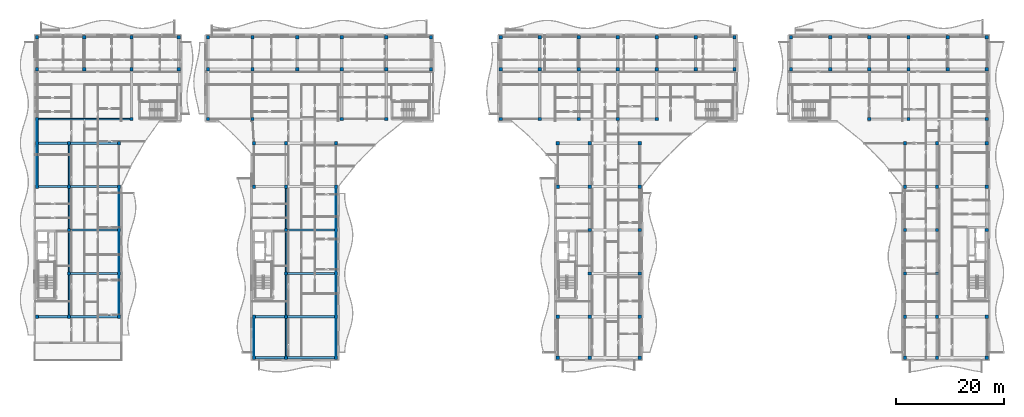
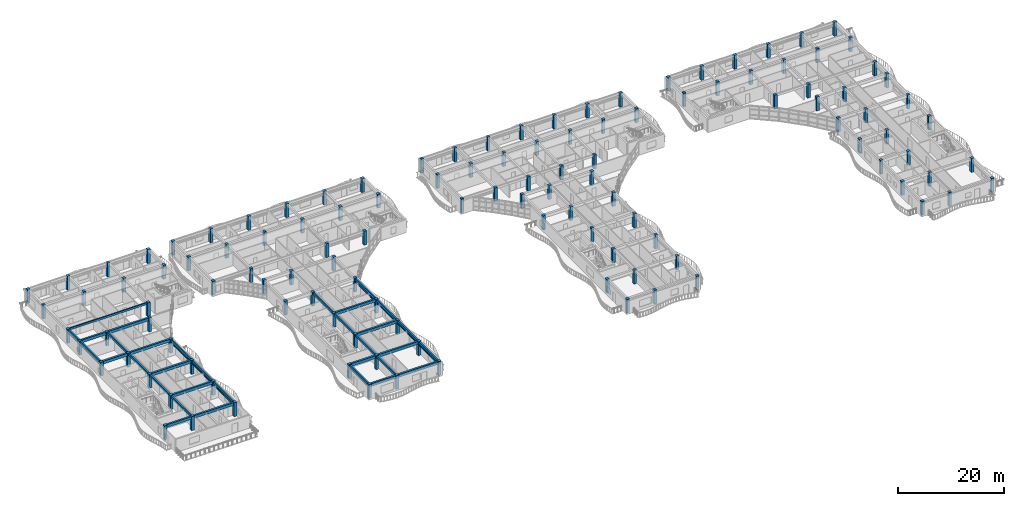
# One storey, part 1 of 72: 122 columns, 33 beams, 20 members.
"""IFC4 building model written with IfcOpenShell, lengths in metres."""

from ifc_helpers import new_model, si_unit, direction, frame, origin, origin_2d, place, context, subcontext, project, spatial, rectangle, hollow_rectangle, extrude, material, material_profile, profile_set, type_object, element, save


model = new_model("IFC4")

# Units and contexts
model_context = context("Model", 3, precision=1e-05, world=origin(), true_north=direction((0.0, 1.0)))
body_context = subcontext(model_context, "Body", "Model", "MODEL_VIEW")
ifc_project = project(units=[si_unit("LENGTHUNIT", "METRE"), si_unit("AREAUNIT", "SQUARE_METRE"), si_unit("VOLUMEUNIT", "CUBIC_METRE"), si_unit("PLANEANGLEUNIT", "RADIAN"), si_unit("MASSUNIT", "GRAM", prefix="KILO")], contexts=[model_context])

# Site, building, storey
site_placement = place(None, origin())
site = spatial("IfcSite", under=ifc_project, at=site_placement, CompositionType="ELEMENT")
building_placement = place(site_placement, origin())
building = spatial("IfcBuilding", under=site, at=building_placement, Name="Keldmere Railside Commons", CompositionType="ELEMENT")
storey_placement = place(building_placement, frame((0.0, 0.0, 16.9599609375)))
storey = spatial("IfcBuildingStorey", under=building, at=storey_placement, Name="L05", CompositionType="ELEMENT", Elevation=16.9599609375)

# Columns
ifc_material_1 = material(Name="Concrete H-35 (C35/45)", Category="concrete")
ifc_material_profile_1 = material_profile(ifc_material_1, rectangle(XDim=0.60009765625, YDim=0.60009765625, at=origin_2d()), Name="RC-600x600")
ifc_profile_set_1 = profile_set([ifc_material_profile_1], Name="Concrete H-35 (C35/45)")
column_type = type_object("IfcColumnType", Name="Mid-Rise RC Column 600x600", PredefinedType="COLUMN", material=ifc_profile_set_1)
for number, where, z_axis, x_axis, name in (
    (1, (8.449951171875, 64.0, 0.0), (0.0, 0.0, 1.0), (1.0, 0.0, 0.0), "C-600 COL-L05-0051"),
    (2, (8.449951171875, 88.0, 0.0), (0.0, 0.0, 1.0), (1.0, 0.0, 0.0), "C-600 COL-L05-0059"),
    (3, (8.449951171875, 96.0, 0.0), (0.0, 0.0, 1.0), (1.0, 0.0, 0.0), "C-600 COL-L05-0068"),
    (4, (8.449951171875, 100.449951171875, 0.0), (0.0, 0.0, 1.0), (1.0, 0.0, 0.0), "C-600 COL-L05-0077"),
    (5, (8.449951171875, 109.64990234375, 0.0), (0.0, 0.0, 1.0), (1.0, 0.0, 0.0), "C-600 COL-L05-0087"),
    (6, (8.449951171875, 115.550048828125, 0.0), (0.0, 0.0, 1.0), (1.0, 0.0, 0.0), "C-600 COL-L05-0096"),
    (7, (14.35009765625, 64.0, 0.0), (0.0, 0.0, 1.0), (1.0, 0.0, 0.0), "C-600 COL-L05-0109"),
    (8, (14.35009765625, 72.0, 0.0), (0.0, 0.0, 1.0), (1.0, 0.0, 0.0), "C-600 COL-L05-0117"),
    (9, (14.35009765625, 80.0, 0.0), (0.0, 0.0, 1.0), (1.0, 0.0, 0.0), "C-600 COL-L05-0126"),
    (10, (14.35009765625, 88.0, 0.0), (0.0, 0.0, 1.0), (1.0, 0.0, 0.0), "C-600 COL-L05-0135"),
    (11, (14.35009765625, 96.0, 0.0), (0.0, 0.0, 1.0), (1.0, 0.0, 0.0), "C-600 COL-L05-0144"),
    (12, (17.14990234375, 109.64990234375, 0.0), (0.0, 0.0, 1.0), (1.0, 0.0, 0.0), "C-600 COL-L05-0171"),
    (13, (17.14990234375, 115.550048828125, 0.0), (0.0, 0.0, 1.0), (1.0, 0.0, 0.0), "C-600 COL-L05-0180"),
    (14, (23.550048828125, 64.0, 0.0), (0.0, 0.0, 1.0), (1.0, 0.0, 0.0), "C-600 COL-L05-0196"),
    (15, (23.550048828125, 72.0, 0.0), (0.0, 0.0, 1.0), (1.0, 0.0, 0.0), "C-600 COL-L05-0204"),
    (16, (23.550048828125, 80.0, 0.0), (0.0, 0.0, 1.0), (1.0, 0.0, 0.0), "C-600 COL-L05-0213"),
    (17, (23.550048828125, 88.0, 0.0), (0.0, 0.0, 1.0), (1.0, 0.0, 0.0), "C-600 COL-L05-0222"),
    (18, (23.550048828125, 96.0, 0.0), (0.0, 0.0, 1.0), (1.0, 0.0, 0.0), "C-600 COL-L05-0231"),
    (19, (25.85009765625, 100.449951171875, 0.0), (0.0, 0.0, 1.0), (1.0, 0.0, 0.0), "C-600 COL-L05-0252"),
    (20, (25.85009765625, 109.64990234375, 0.0), (0.0, 0.0, 1.0), (1.0, 0.0, 0.0), "C-600 COL-L05-0262"),
    (21, (25.85009765625, 115.550048828125, 0.0), (0.0, 0.0, 1.0), (1.0, 0.0, 0.0), "C-600 COL-L05-0271"),
    (22, (34.550048828125, 109.64990234375, 0.0), (0.0, 0.0, 1.0), (1.0, 0.0, 0.0), "C-600 COL-L05-0306"),
    (23, (34.550048828125, 115.550048828125, 0.0), (0.0, 0.0, 1.0), (1.0, 0.0, 0.0), "C-600 COL-L05-0315"),
    (24, (39.949951171875, 100.449951171875, 0.0), (0.0, 0.0, 1.0), (1.0, 0.0, 0.0), "C-600 COL-L05-0341"),
    (25, (39.949951171875, 109.64990234375, 0.0), (0.0, 0.0, 1.0), (1.0, 0.0, 0.0), "C-600 COL-L05-0353"),
    (26, (39.949951171875, 115.550048828125, 0.0), (0.0, 0.0, 1.0), (1.0, 0.0, 0.0), "C-600 COL-L05-0364"),
    (27, (48.169921875, 100.449951171875, 0.0), (0.0, 0.0, 1.0), (1.0, 0.0, 0.0), "C-600 COL-L05-0391"),
    (28, (48.169921875, 109.64990234375, 0.0), (0.0, 0.0, 1.0), (1.0, 0.0, 0.0), "C-600 COL-L05-0403"),
    (29, (48.169921875, 115.550048828125, 0.0), (0.0, 0.0, 1.0), (1.0, 0.0, 0.0), "C-600 COL-L05-0414"),
    (30, (48.449951171875, 56.449951171875, 0.0), (0.0, 0.0, 1.0), (1.0, 0.0, 0.0), "C-600 COL-L05-0437"),
    (31, (48.449951171875, 64.0, 0.0), (0.0, 0.0, 1.0), (1.0, 0.0, 0.0), "C-600 COL-L05-0444"),
    (32, (48.449951171875, 88.0, 0.0), (0.0, 0.0, 1.0), (1.0, 0.0, 0.0), "C-600 COL-L05-0454"),
    (33, (48.449951171875, 96.0, 0.0), (0.0, 0.0, 1.0), (1.0, 0.0, 0.0), "C-600 COL-L05-0465"),
    (34, (54.35009765625, 56.449951171875, 0.0), (0.0, 0.0, 1.0), (1.0, 0.0, 0.0), "C-600 COL-L05-0483"),
    (35, (54.35009765625, 64.0, 0.0), (0.0, 0.0, 1.0), (1.0, 0.0, 0.0), "C-600 COL-L05-0490"),
    (36, (54.35009765625, 72.0, 0.0), (0.0, 0.0, 1.0), (1.0, 0.0, 0.0), "C-600 COL-L05-0500"),
    (37, (54.35009765625, 80.0, 0.0), (0.0, 0.0, 1.0), (1.0, 0.0, 0.0), "C-600 COL-L05-0511"),
    (38, (54.35009765625, 88.0, 0.0), (0.0, 0.0, 1.0), (1.0, 0.0, 0.0), "C-600 COL-L05-0522"),
    (39, (54.35009765625, 96.0, 0.0), (0.0, 0.0, 1.0), (1.0, 0.0, 0.0), "C-600 COL-L05-0533"),
    (40, (56.389892578125, 109.64990234375, 0.0), (0.0, 0.0, 1.0), (1.0, 0.0, 0.0), "C-600 COL-L05-0545"),
    (41, (56.389892578125, 115.550048828125, 0.0), (0.0, 0.0, 1.0), (1.0, 0.0, 0.0), "C-600 COL-L05-0556"),
    (42, (63.550048828125, 56.449951171875, 0.0), (0.0, 0.0, 1.0), (1.0, 0.0, 0.0), "C-600 COL-L05-0569"),
    (43, (63.550048828125, 64.0, 0.0), (0.0, 0.0, 1.0), (1.0, 0.0, 0.0), "C-600 COL-L05-0576"),
    (44, (63.550048828125, 72.0, 0.0), (0.0, 0.0, 1.0), (1.0, 0.0, 0.0), "C-600 COL-L05-0586"),
    (45, (63.550048828125, 80.0, 0.0), (0.0, 0.0, 1.0), (1.0, 0.0, 0.0), "C-600 COL-L05-0597"),
    (46, (63.550048828125, 88.0, 0.0), (0.0, 0.0, 1.0), (1.0, 0.0, 0.0), "C-600 COL-L05-0608"),
    (47, (63.550048828125, 96.0, 0.0), (0.0, 0.0, 1.0), (1.0, 0.0, 0.0), "C-600 COL-L05-0619"),
    (48, (64.610107421875, 100.449951171875, 0.0), (0.0, 0.0, 1.0), (1.0, 0.0, 0.0), "C-600 COL-L05-0645"),
    (49, (64.610107421875, 109.64990234375, 0.0), (0.0, 0.0, 1.0), (1.0, 0.0, 0.0), "C-600 COL-L05-0657"),
    (50, (64.610107421875, 115.550048828125, 0.0), (0.0, 0.0, 1.0), (1.0, 0.0, 0.0), "C-600 COL-L05-0668"),
    (51, (72.830078125, 100.449951171875, 0.0), (0.0, 0.0, 1.0), (1.0, 0.0, 0.0), "C-600 COL-L05-0690"),
    (52, (72.830078125, 109.64990234375, 0.0), (0.0, 0.0, 1.0), (1.0, 0.0, 0.0), "C-600 COL-L05-0702"),
    (53, (72.830078125, 115.550048828125, 0.0), (0.0, 0.0, 1.0), (1.0, 0.0, 0.0), "C-600 COL-L05-0713"),
    (54, (81.050048828125, 109.64990234375, 0.0), (0.0, 0.0, 1.0), (1.0, 0.0, 0.0), "C-600 COL-L05-0755"),
    (55, (81.050048828125, 115.550048828125, 0.0), (0.0, 0.0, 1.0), (1.0, 0.0, 0.0), "C-600 COL-L05-0766"),
    (56, (93.949951171875, 100.449951171875, 0.0), (0.0, 0.0, 1.0), (1.0, 0.0, 0.0), "C-600 COL-L05-0815"),
    (57, (93.949951171875, 109.64990234375, 0.0), (0.0, 0.0, 1.0), (1.0, 0.0, 0.0), "C-600 COL-L05-0829"),
    (58, (93.949951171875, 115.550048828125, 0.0), (0.0, 0.0, 1.0), (1.0, 0.0, 0.0), "C-600 COL-L05-0842"),
    (59, (101.133056640625, 100.449951171875, 0.0), (0.0, 0.0, 1.0), (1.0, 0.0, 0.0), "C-600 COL-L05-0884"),
    (60, (101.133056640625, 109.64990234375, 0.0), (0.0, 0.0, 1.0), (1.0, 0.0, 0.0), "C-600 COL-L05-0898"),
    (61, (101.133056640625, 115.550048828125, 0.0), (0.0, 0.0, 1.0), (1.0, 0.0, 0.0), "C-600 COL-L05-0911"),
    (62, (104.449951171875, 56.449951171875, 0.0), (0.0, 0.0, 1.0), (1.0, 0.0, 0.0), "C-600 COL-L05-0926"),
    (63, (104.449951171875, 64.0, 0.0), (0.0, 0.0, 1.0), (1.0, 0.0, 0.0), "C-600 COL-L05-0935"),
    (64, (104.449951171875, 88.0, 0.0), (0.0, 0.0, 1.0), (1.0, 0.0, 0.0), "C-600 COL-L05-0947"),
    (65, (104.449951171875, 96.0, 0.0), (0.0, 0.0, 1.0), (1.0, 0.0, 0.0), "C-600 COL-L05-0960"),
    (66, (108.31689453125, 100.449951171875, 0.0), (0.0, 0.0, 1.0), (1.0, 0.0, 0.0), "C-600 COL-L05-0984"),
    (67, (108.31689453125, 109.64990234375, 0.0), (0.0, 0.0, 1.0), (1.0, 0.0, 0.0), "C-600 COL-L05-0998"),
    (68, (108.31689453125, 115.550048828125, 0.0), (0.0, 0.0, 1.0), (1.0, 0.0, 0.0), "C-600 COL-L05-1011"),
    (69, (110.35009765625, 56.449951171875, 0.0), (0.0, 0.0, 1.0), (1.0, 0.0, 0.0), "C-600 COL-L05-1020"),
    (70, (110.35009765625, 64.0, 0.0), (0.0, 0.0, 1.0), (1.0, 0.0, 0.0), "C-600 COL-L05-1029"),
    (71, (110.35009765625, 72.0, 0.0), (0.0, 0.0, 1.0), (1.0, 0.0, 0.0), "C-600 COL-L05-1041"),
    (72, (110.35009765625, 80.0, 0.0), (0.0, 0.0, 1.0), (1.0, 0.0, 0.0), "C-600 COL-L05-1054"),
    (73, (110.35009765625, 88.0, 0.0), (0.0, 0.0, 1.0), (1.0, 0.0, 0.0), "C-600 COL-L05-1067"),
    (74, (110.35009765625, 96.0, 0.0), (0.0, 0.0, 1.0), (1.0, 0.0, 0.0), "C-600 COL-L05-1080"),
    (75, (115.5, 100.449951171875, 0.0), (0.0, 0.0, 1.0), (1.0, 0.0, 0.0), "C-600 COL-L05-1101"),
    (76, (115.5, 109.64990234375, 0.0), (0.0, 0.0, 1.0), (1.0, 0.0, 0.0), "C-600 COL-L05-1115"),
    (77, (115.5, 115.550048828125, 0.0), (0.0, 0.0, 1.0), (1.0, 0.0, 0.0), "C-600 COL-L05-1128"),
    (78, (119.550048828125, 56.449951171875, 0.0), (0.0, 0.0, 1.0), (1.0, 0.0, 0.0), "C-600 COL-L05-1137"),
    (79, (119.550048828125, 64.0, 0.0), (0.0, 0.0, 1.0), (1.0, 0.0, 0.0), "C-600 COL-L05-1146"),
    (80, (119.550048828125, 72.0, 0.0), (0.0, 0.0, 1.0), (1.0, 0.0, 0.0), "C-600 COL-L05-1158"),
    (81, (119.550048828125, 80.0, 0.0), (0.0, 0.0, 1.0), (1.0, 0.0, 0.0), "C-600 COL-L05-1171"),
    (82, (119.550048828125, 88.0, 0.0), (0.0, 0.0, 1.0), (1.0, 0.0, 0.0), "C-600 COL-L05-1184"),
    (83, (119.550048828125, 96.0, 0.0), (0.0, 0.0, 1.0), (1.0, 0.0, 0.0), "C-600 COL-L05-1197"),
    (84, (122.68310546875, 100.449951171875, 0.0), (0.0, 0.0, 1.0), (1.0, 0.0, 0.0), "C-600 COL-L05-1239"),
    (85, (122.68310546875, 109.64990234375, 0.0), (0.0, 0.0, 1.0), (1.0, 0.0, 0.0), "C-600 COL-L05-1253"),
    (86, (122.68310546875, 115.550048828125, 0.0), (0.0, 0.0, 1.0), (1.0, 0.0, 0.0), "C-600 COL-L05-1266"),
    (87, (129.866943359375, 109.64990234375, 0.0), (0.0, 0.0, 1.0), (1.0, 0.0, 0.0), "C-600 COL-L05-1298"),
    (88, (129.866943359375, 115.550048828125, 0.0), (0.0, 0.0, 1.0), (1.0, 0.0, 0.0), "C-600 COL-L05-1311"),
    (89, (137.050048828125, 109.64990234375, 0.0), (0.0, 0.0, 1.0), (1.0, 0.0, 0.0), "C-600 COL-L05-1348"),
    (90, (137.050048828125, 115.550048828125, 0.0), (0.0, 0.0, 1.0), (1.0, 0.0, 0.0), "C-600 COL-L05-1361"),
    (91, (147.449951171875, 109.64990234375, 0.0), (0.0, 0.0, 1.0), (1.0, 0.0, 0.0), "C-600 COL-L05-1378"),
    (92, (147.449951171875, 115.550048828125, 0.0), (0.0, 0.0, 1.0), (1.0, 0.0, 0.0), "C-600 COL-L05-1393"),
    (93, (154.669921875, 109.64990234375, 0.0), (0.0, 0.0, 1.0), (1.0, 0.0, 0.0), "C-600 COL-L05-1430"),
    (94, (154.669921875, 115.550048828125, 0.0), (0.0, 0.0, 1.0), (1.0, 0.0, 0.0), "C-600 COL-L05-1445"),
    (95, (161.889892578125, 100.449951171875, 0.0), (0.0, 0.0, 1.0), (1.0, 0.0, 0.0), "C-600 COL-L05-1483"),
    (96, (161.889892578125, 109.64990234375, 0.0), (0.0, 0.0, 1.0), (1.0, 0.0, 0.0), "C-600 COL-L05-1499"),
    (97, (161.889892578125, 115.550048828125, 0.0), (0.0, 0.0, 1.0), (1.0, 0.0, 0.0), "C-600 COL-L05-1514"),
    (98, (168.449951171875, 56.449951171875, 0.0), (0.0, 0.0, 1.0), (1.0, 0.0, 0.0), "C-600 COL-L05-1549"),
    (99, (168.449951171875, 64.0, 0.0), (0.0, 0.0, 1.0), (1.0, 0.0, 0.0), "C-600 COL-L05-1559"),
    (100, (168.449951171875, 72.0, 0.0), (0.0, 0.0, 1.0), (1.0, 0.0, 0.0), "C-600 COL-L05-1573"),
    (101, (168.449951171875, 80.0, 0.0), (0.0, 0.0, 1.0), (1.0, 0.0, 0.0), "C-600 COL-L05-1588"),
    (102, (168.449951171875, 88.0, 0.0), (0.0, 0.0, 1.0), (1.0, 0.0, 0.0), "C-600 COL-L05-1603"),
    (103, (168.449951171875, 96.0, 0.0), (0.0, 0.0, 1.0), (1.0, 0.0, 0.0), "C-600 COL-L05-1618"),
    (104, (169.110107421875, 100.449951171875, 0.0), (0.0, 0.0, 1.0), (1.0, 0.0, 0.0), "C-600 COL-L05-1633"),
    (105, (169.110107421875, 109.64990234375, 0.0), (0.0, 0.0, 1.0), (1.0, 0.0, 0.0), "C-600 COL-L05-1649"),
    (106, (169.110107421875, 115.550048828125, 0.0), (0.0, 0.0, 1.0), (1.0, 0.0, 0.0), "C-600 COL-L05-1664"),
    (107, (174.35009765625, 56.449951171875, 0.0), (0.0, 0.0, 1.0), (1.0, 0.0, 0.0), "C-600 COL-L05-1675"),
    (108, (174.35009765625, 64.0, 0.0), (0.0, 0.0, 1.0), (1.0, 0.0, 0.0), "C-600 COL-L05-1685"),
    (109, (174.35009765625, 72.0, 0.0), (0.0, 0.0, 1.0), (1.0, 0.0, 0.0), "C-600 COL-L05-1699"),
    (110, (174.35009765625, 80.0, 0.0), (0.0, 0.0, 1.0), (1.0, 0.0, 0.0), "C-600 COL-L05-1714"),
    (111, (174.35009765625, 88.0, 0.0), (0.0, 0.0, 1.0), (1.0, 0.0, 0.0), "C-600 COL-L05-1729"),
    (112, (174.35009765625, 96.0, 0.0), (0.0, 0.0, 1.0), (1.0, 0.0, 0.0), "C-600 COL-L05-1744"),
    (113, (176.330078125, 109.64990234375, 0.0), (0.0, 0.0, 1.0), (1.0, 0.0, 0.0), "C-600 COL-L05-1777"),
    (114, (176.330078125, 115.550048828125, 0.0), (0.0, 0.0, 1.0), (1.0, 0.0, 0.0), "C-600 COL-L05-1792"),
    (115, (183.550048828125, 56.449951171875, 0.0), (0.0, 0.0, 1.0), (1.0, 0.0, 0.0), "C-600 COL-L05-1807"),
    (116, (183.550048828125, 64.0, 0.0), (0.0, 0.0, 1.0), (1.0, 0.0, 0.0), "C-600 COL-L05-1817"),
    (117, (183.550048828125, 80.0, 0.0), (0.0, 0.0, 1.0), (1.0, 0.0, 0.0), "C-600 COL-L05-1831"),
    (118, (183.550048828125, 88.0, 0.0), (0.0, 0.0, 1.0), (1.0, 0.0, 0.0), "C-600 COL-L05-1846"),
    (119, (183.550048828125, 96.0, 0.0), (0.0, 0.0, 1.0), (1.0, 0.0, 0.0), "C-600 COL-L05-1861"),
    (120, (183.550048828125, 100.449951171875, 0.0), (0.0, 0.0, 1.0), (1.0, 0.0, 0.0), "C-600 COL-L05-1876"),
    (121, (183.550048828125, 109.64990234375, 0.0), (0.0, 0.0, 1.0), (1.0, 0.0, 0.0), "C-600 COL-L05-1892"),
    (122, (183.550048828125, 115.550048828125, 0.0), (0.0, 0.0, 1.0), (1.0, 0.0, 0.0), "C-600 COL-L05-1907"),
):
    element("IfcColumn", number, at=place(storey_placement, frame(where, z_axis=z_axis, x_axis=x_axis)), inside=storey, type_object=column_type, Name=name, PredefinedType="COLUMN", context=body_context, shape_type="SweptSolid", body=[
        extrude(rectangle(XDim=0.60009765625, YDim=0.60009765625, at=origin_2d()), origin(), (0.0, 0.0, 1.0), 3.199951171875),
    ])

# Members
ifc_material_2 = material(Name="Steel F-36 (S355)", Category="steel")
ifc_material_profile_2 = material_profile(ifc_material_2, hollow_rectangle(XDim=0.14990234375, YDim=0.25, WallThickness=0.010009765625, at=origin_2d()), Name="RHS-250x150x10")
ifc_profile_set_2 = profile_set([ifc_material_profile_2], Name="Steel F-36 (S355)")
member_type_1 = type_object("IfcMemberType", Name="Balcony Continuous Planted Trough RHS250x150", PredefinedType="CHORD", material=ifc_profile_set_2)
member_1_placement = place(storey_placement, frame((8.449951171875, 88.300048828125, 2.4150390625), z_axis=(0.0, 1.0, 0.0), x_axis=(-1.0, 0.0, 0.0)))
element("IfcMember", 123, at=member_1_placement, inside=storey, type_object=member_type_1, Name="PLT-1 MEM-BPLT-0571", PredefinedType="CHORD", context=body_context, shape_type="SweptSolid", body=[
    extrude(hollow_rectangle(XDim=0.14990234375, YDim=0.25, WallThickness=0.010009765625, at=origin_2d()), origin(), (0.0, 0.0, 1.0), 7.39990234375),
])
member_2_placement = place(storey_placement, frame((8.449951171875, 96.300048828125, 2.4150390625), z_axis=(0.0, 1.0, 0.0), x_axis=(-1.0, 0.0, 0.0)))
element("IfcMember", 124, at=member_2_placement, inside=storey, type_object=member_type_1, Name="PLT-1 MEM-BPLT-0573", PredefinedType="CHORD", context=body_context, shape_type="SweptSolid", body=[
    extrude(hollow_rectangle(XDim=0.14990234375, YDim=0.25, WallThickness=0.010009765625, at=origin_2d()), origin(), (0.0, 0.0, 1.0), 3.849853515625),
])
for number, where, z_axis, x_axis, name in (
    (125, (23.550048828125, 64.300048828125, 2.4150390625), (0.0, 1.0, 0.0), (-1.0, 0.0, 0.0), "PLT-1 MEM-BPLT-0579"),
    (126, (23.550048828125, 72.300048828125, 2.4150390625), (0.0, 1.0, 0.0), (-1.0, 0.0, 0.0), "PLT-1 MEM-BPLT-0581"),
    (127, (23.550048828125, 80.300048828125, 2.4150390625), (0.0, 1.0, 0.0), (-1.0, 0.0, 0.0), "PLT-1 MEM-BPLT-0583"),
):
    element("IfcMember", number, at=place(storey_placement, frame(where, z_axis=z_axis, x_axis=x_axis)), inside=storey, type_object=member_type_1, Name=name, PredefinedType="CHORD", context=body_context, shape_type="SweptSolid", body=[
        extrude(hollow_rectangle(XDim=0.14990234375, YDim=0.25, WallThickness=0.010009765625, at=origin_2d()), origin(), (0.0, 0.0, 1.0), 7.39990234375),
    ])
for number, where, z_axis, x_axis, name in (
    (128, (48.449951171875, 56.75, 2.4150390625), (0.0, 1.0, 0.0), (-1.0, 0.0, 0.0), "PLT-1 MEM-BPLT-0601"),
    (129, (63.550048828125, 56.75, 2.4150390625), (0.0, 1.0, 0.0), (-1.0, 0.0, 0.0), "PLT-1 MEM-BPLT-0611"),
):
    element("IfcMember", number, at=place(storey_placement, frame(where, z_axis=z_axis, x_axis=x_axis)), inside=storey, type_object=member_type_1, Name=name, PredefinedType="CHORD", context=body_context, shape_type="SweptSolid", body=[
        extrude(hollow_rectangle(XDim=0.14990234375, YDim=0.25, WallThickness=0.010009765625, at=origin_2d()), origin(), (0.0, 0.0, 1.0), 6.949951171875),
    ])
for number, where, z_axis, x_axis, name in (
    (130, (63.550048828125, 64.300048828125, 2.4150390625), (0.0, 1.0, 0.0), (-1.0, 0.0, 0.0), "PLT-1 MEM-BPLT-0613"),
    (131, (63.550048828125, 72.300048828125, 2.4150390625), (0.0, 1.0, 0.0), (-1.0, 0.0, 0.0), "PLT-1 MEM-BPLT-0615"),
    (132, (63.550048828125, 80.300048828125, 2.4150390625), (0.0, 1.0, 0.0), (-1.0, 0.0, 0.0), "PLT-1 MEM-BPLT-0617"),
):
    element("IfcMember", number, at=place(storey_placement, frame(where, z_axis=z_axis, x_axis=x_axis)), inside=storey, type_object=member_type_1, Name=name, PredefinedType="CHORD", context=body_context, shape_type="SweptSolid", body=[
        extrude(hollow_rectangle(XDim=0.14990234375, YDim=0.25, WallThickness=0.010009765625, at=origin_2d()), origin(), (0.0, 0.0, 1.0), 7.39990234375),
    ])

# Beams
ifc_material_3 = material(Name="Architectural Precast Concrete H-35 (C35/45)", Category="concrete")
ifc_material_profile_3 = material_profile(ifc_material_3, rectangle(XDim=0.25, YDim=0.449951171875, at=origin_2d()), Name="RC-250x450")
ifc_profile_set_3 = profile_set([ifc_material_profile_3], Name="Architectural Precast Concrete H-35 (C35/45)")
beam_type_1 = type_object("IfcBeamType", Name="Perimeter Precast Spandrel Beam 250x450", PredefinedType="SPANDREL", material=ifc_profile_set_3)
beam_1_placement = place(storey_placement, frame((8.75, 100.449951171875, 2.97509765625), z_axis=(1.0, 0.0, 0.0), x_axis=(0.0, 1.0, 0.0)))
element("IfcBeam", 133, at=beam_1_placement, inside=storey, type_object=beam_type_1, Name="SPB-1 BM-L05-1728", PredefinedType="SPANDREL", context=body_context, shape_type="SweptSolid", body=[
    extrude(rectangle(XDim=0.25, YDim=0.449951171875, at=origin_2d()), origin(), (0.0, 0.0, 1.0), 16.800048828125),
])
ifc_material_4 = material(Name="Concrete H-30 (C30/37)", Category="concrete")
ifc_material_profile_4 = material_profile(ifc_material_4, rectangle(XDim=0.35009765625, YDim=0.60009765625, at=origin_2d()), Name="RC-350x600")
ifc_profile_set_4 = profile_set([ifc_material_profile_4], Name="Concrete H-30 (C30/37)")
beam_type_2 = type_object("IfcBeamType", Name="Residential Chord RC Beam 350x600", PredefinedType="BEAM", material=ifc_profile_set_4)
beam_2_placement = place(storey_placement, frame((8.449951171875, 88.300048828125, 2.900146484375), z_axis=(0.0, 1.0, 0.0), x_axis=(-1.0, 0.0, 0.0)))
element("IfcBeam", 134, at=beam_2_placement, inside=storey, type_object=beam_type_2, Name="BG-4 BM-L05-1776", PredefinedType="BEAM", context=body_context, shape_type="SweptSolid", body=[
    extrude(rectangle(XDim=0.35009765625, YDim=0.60009765625, at=origin_2d()), origin(), (0.0, 0.0, 1.0), 7.39990234375),
])
beam_3_placement = place(storey_placement, frame((8.449951171875, 96.300048828125, 2.900146484375), z_axis=(0.0, 1.0, 0.0), x_axis=(-1.0, 0.0, 0.0)))
element("IfcBeam", 135, at=beam_3_placement, inside=storey, type_object=beam_type_2, Name="BG-4 BM-L05-1777", PredefinedType="BEAM", context=body_context, shape_type="SweptSolid", body=[
    extrude(rectangle(XDim=0.35009765625, YDim=0.60009765625, at=origin_2d()), origin(), (0.0, 0.0, 1.0), 3.849853515625),
])
ifc_material_profile_5 = material_profile(ifc_material_4, rectangle(XDim=0.39990234375, YDim=0.64990234375, at=origin_2d()), Name="RC-400x650")
ifc_profile_set_5 = profile_set([ifc_material_profile_5], Name="Concrete H-30 (C30/37)")
beam_type_3 = type_object("IfcBeamType", Name="Residential Spine RC Girder 400x650", PredefinedType="BEAM", material=ifc_profile_set_5)
beam_4_placement = place(storey_placement, frame((48.75, 56.449951171875, 2.875), z_axis=(1.0, 0.0, 0.0), x_axis=(0.0, 1.0, 0.0)))
element("IfcBeam", 136, at=beam_4_placement, inside=storey, type_object=beam_type_3, Name="BG-3 BM-L05-1690", PredefinedType="BEAM", context=body_context, shape_type="SweptSolid", body=[
    extrude(rectangle(XDim=0.39990234375, YDim=0.64990234375, at=origin_2d()), origin(), (0.0, 0.0, 1.0), 5.300048828125),
])
beam_5_placement = place(storey_placement, frame((54.64990234375, 56.449951171875, 2.875), z_axis=(1.0, 0.0, 0.0), x_axis=(0.0, 1.0, 0.0)))
element("IfcBeam", 137, at=beam_5_placement, inside=storey, type_object=beam_type_3, Name="BG-3 BM-L05-1691", PredefinedType="BEAM", context=body_context, shape_type="SweptSolid", body=[
    extrude(rectangle(XDim=0.39990234375, YDim=0.64990234375, at=origin_2d()), origin(), (0.0, 0.0, 1.0), 8.60009765625),
])
beam_6_placement = place(storey_placement, frame((8.75, 64.0, 2.875), z_axis=(1.0, 0.0, 0.0), x_axis=(0.0, 1.0, 0.0)))
element("IfcBeam", 138, at=beam_6_placement, inside=storey, type_object=beam_type_3, Name="BG-3 BM-L05-1696", PredefinedType="BEAM", context=body_context, shape_type="SweptSolid", body=[
    extrude(rectangle(XDim=0.39990234375, YDim=0.64990234375, at=origin_2d()), origin(), (0.0, 0.0, 1.0), 5.300048828125),
])
beam_7_placement = place(storey_placement, frame((14.64990234375, 64.0, 2.875), z_axis=(1.0, 0.0, 0.0), x_axis=(0.0, 1.0, 0.0)))
element("IfcBeam", 139, at=beam_7_placement, inside=storey, type_object=beam_type_3, Name="BG-3 BM-L05-1697", PredefinedType="BEAM", context=body_context, shape_type="SweptSolid", body=[
    extrude(rectangle(XDim=0.39990234375, YDim=0.64990234375, at=origin_2d()), origin(), (0.0, 0.0, 1.0), 8.60009765625),
])
beam_8_placement = place(storey_placement, frame((48.75, 64.0, 2.875), z_axis=(1.0, 0.0, 0.0), x_axis=(0.0, 1.0, 0.0)))
element("IfcBeam", 140, at=beam_8_placement, inside=storey, type_object=beam_type_3, Name="BG-3 BM-L05-1698", PredefinedType="BEAM", context=body_context, shape_type="SweptSolid", body=[
    extrude(rectangle(XDim=0.39990234375, YDim=0.64990234375, at=origin_2d()), origin(), (0.0, 0.0, 1.0), 5.300048828125),
])
for number, where, z_axis, x_axis, name in (
    (141, (54.64990234375, 64.0, 2.875), (1.0, 0.0, 0.0), (0.0, 1.0, 0.0), "BG-3 BM-L05-1699"),
    (142, (14.64990234375, 72.0, 2.875), (1.0, 0.0, 0.0), (0.0, 1.0, 0.0), "BG-3 BM-L05-1704"),
    (143, (54.64990234375, 72.0, 2.875), (1.0, 0.0, 0.0), (0.0, 1.0, 0.0), "BG-3 BM-L05-1705"),
    (144, (14.64990234375, 80.0, 2.875), (1.0, 0.0, 0.0), (0.0, 1.0, 0.0), "BG-3 BM-L05-1708"),
    (145, (54.64990234375, 80.0, 2.875), (1.0, 0.0, 0.0), (0.0, 1.0, 0.0), "BG-3 BM-L05-1709"),
):
    element("IfcBeam", number, at=place(storey_placement, frame(where, z_axis=z_axis, x_axis=x_axis)), inside=storey, type_object=beam_type_3, Name=name, PredefinedType="BEAM", context=body_context, shape_type="SweptSolid", body=[
        extrude(rectangle(XDim=0.39990234375, YDim=0.64990234375, at=origin_2d()), origin(), (0.0, 0.0, 1.0), 8.60009765625),
    ])
beam_9_placement = place(storey_placement, frame((8.75, 88.0, 2.875), z_axis=(1.0, 0.0, 0.0), x_axis=(0.0, 1.0, 0.0)))
element("IfcBeam", 146, at=beam_9_placement, inside=storey, type_object=beam_type_3, Name="BG-3 BM-L05-1712", PredefinedType="BEAM", context=body_context, shape_type="SweptSolid", body=[
    extrude(rectangle(XDim=0.39990234375, YDim=0.64990234375, at=origin_2d()), origin(), (0.0, 0.0, 1.0), 5.300048828125),
])
beam_10_placement = place(storey_placement, frame((14.64990234375, 88.0, 2.875), z_axis=(1.0, 0.0, 0.0), x_axis=(0.0, 1.0, 0.0)))
element("IfcBeam", 147, at=beam_10_placement, inside=storey, type_object=beam_type_3, Name="BG-3 BM-L05-1713", PredefinedType="BEAM", context=body_context, shape_type="SweptSolid", body=[
    extrude(rectangle(XDim=0.39990234375, YDim=0.64990234375, at=origin_2d()), origin(), (0.0, 0.0, 1.0), 8.60009765625),
])
beam_11_placement = place(storey_placement, frame((8.75, 96.0, 2.875), z_axis=(1.0, 0.0, 0.0), x_axis=(0.0, 1.0, 0.0)))
element("IfcBeam", 148, at=beam_11_placement, inside=storey, type_object=beam_type_3, Name="BG-3 BM-L05-1720", PredefinedType="BEAM", context=body_context, shape_type="SweptSolid", body=[
    extrude(rectangle(XDim=0.39990234375, YDim=0.64990234375, at=origin_2d()), origin(), (0.0, 0.0, 1.0), 5.300048828125),
])
beam_12_placement = place(storey_placement, frame((14.64990234375, 96.0, 2.875), z_axis=(1.0, 0.0, 0.0), x_axis=(0.0, 1.0, 0.0)))
element("IfcBeam", 149, at=beam_12_placement, inside=storey, type_object=beam_type_3, Name="BG-3 BM-L05-1721", PredefinedType="BEAM", context=body_context, shape_type="SweptSolid", body=[
    extrude(rectangle(XDim=0.39990234375, YDim=0.64990234375, at=origin_2d()), origin(), (0.0, 0.0, 1.0), 8.60009765625),
])
ifc_material_profile_6 = material_profile(ifc_material_4, rectangle(XDim=0.300048828125, YDim=0.5, at=origin_2d()), Name="RC-300x500")
ifc_profile_set_6 = profile_set([ifc_material_profile_6], Name="Concrete H-30 (C30/37)")
beam_type_4 = type_object("IfcBeamType", Name="Secondary Frame RC Beam 300x500", PredefinedType="BEAM", material=ifc_profile_set_6)
for number, where, z_axis, x_axis, name in (
    (150, (14.35009765625, 64.300048828125, 2.949951171875), (0.0, 1.0, 0.0), (-1.0, 0.0, 0.0), "BG-5 BM-L05-1780"),
    (151, (14.35009765625, 72.300048828125, 2.949951171875), (0.0, 1.0, 0.0), (-1.0, 0.0, 0.0), "BG-5 BM-L05-1781"),
    (152, (14.35009765625, 80.300048828125, 2.949951171875), (0.0, 1.0, 0.0), (-1.0, 0.0, 0.0), "BG-5 BM-L05-1782"),
    (153, (14.35009765625, 88.300048828125, 2.949951171875), (0.0, 1.0, 0.0), (-1.0, 0.0, 0.0), "BG-5 BM-L05-1783"),
    (154, (23.550048828125, 64.300048828125, 2.949951171875), (0.0, 1.0, 0.0), (-1.0, 0.0, 0.0), "BG-5 BM-L05-1785"),
    (155, (23.550048828125, 72.300048828125, 2.949951171875), (0.0, 1.0, 0.0), (-1.0, 0.0, 0.0), "BG-5 BM-L05-1786"),
    (156, (23.550048828125, 80.300048828125, 2.949951171875), (0.0, 1.0, 0.0), (-1.0, 0.0, 0.0), "BG-5 BM-L05-1787"),
):
    element("IfcBeam", number, at=place(storey_placement, frame(where, z_axis=z_axis, x_axis=x_axis)), inside=storey, type_object=beam_type_4, Name=name, PredefinedType="BEAM", context=body_context, shape_type="SweptSolid", body=[
        extrude(rectangle(XDim=0.300048828125, YDim=0.5, at=origin_2d()), origin(), (0.0, 0.0, 1.0), 7.39990234375),
    ])
for number, where, z_axis, x_axis, name in (
    (157, (48.449951171875, 56.75, 2.949951171875), (0.0, 1.0, 0.0), (-1.0, 0.0, 0.0), "BG-5 BM-L05-1796"),
    (158, (54.35009765625, 56.75, 2.949951171875), (0.0, 1.0, 0.0), (-1.0, 0.0, 0.0), "BG-5 BM-L05-1798"),
):
    element("IfcBeam", number, at=place(storey_placement, frame(where, z_axis=z_axis, x_axis=x_axis)), inside=storey, type_object=beam_type_4, Name=name, PredefinedType="BEAM", context=body_context, shape_type="SweptSolid", body=[
        extrude(rectangle(XDim=0.300048828125, YDim=0.5, at=origin_2d()), origin(), (0.0, 0.0, 1.0), 6.949951171875),
    ])
for number, where, z_axis, x_axis, name in (
    (159, (54.35009765625, 64.300048828125, 2.949951171875), (0.0, 1.0, 0.0), (-1.0, 0.0, 0.0), "BG-5 BM-L05-1799"),
    (160, (54.35009765625, 72.300048828125, 2.949951171875), (0.0, 1.0, 0.0), (-1.0, 0.0, 0.0), "BG-5 BM-L05-1800"),
    (161, (54.35009765625, 80.300048828125, 2.949951171875), (0.0, 1.0, 0.0), (-1.0, 0.0, 0.0), "BG-5 BM-L05-1801"),
):
    element("IfcBeam", number, at=place(storey_placement, frame(where, z_axis=z_axis, x_axis=x_axis)), inside=storey, type_object=beam_type_4, Name=name, PredefinedType="BEAM", context=body_context, shape_type="SweptSolid", body=[
        extrude(rectangle(XDim=0.300048828125, YDim=0.5, at=origin_2d()), origin(), (0.0, 0.0, 1.0), 7.39990234375),
    ])
beam_13_placement = place(storey_placement, frame((63.550048828125, 56.75, 2.949951171875), z_axis=(0.0, 1.0, 0.0), x_axis=(-1.0, 0.0, 0.0)))
element("IfcBeam", 162, at=beam_13_placement, inside=storey, type_object=beam_type_4, Name="BG-5 BM-L05-1804", PredefinedType="BEAM", context=body_context, shape_type="SweptSolid", body=[
    extrude(rectangle(XDim=0.300048828125, YDim=0.5, at=origin_2d()), origin(), (0.0, 0.0, 1.0), 6.949951171875),
])
for number, where, z_axis, x_axis, name in (
    (163, (63.550048828125, 64.300048828125, 2.949951171875), (0.0, 1.0, 0.0), (-1.0, 0.0, 0.0), "BG-5 BM-L05-1805"),
    (164, (63.550048828125, 72.300048828125, 2.949951171875), (0.0, 1.0, 0.0), (-1.0, 0.0, 0.0), "BG-5 BM-L05-1806"),
    (165, (63.550048828125, 80.300048828125, 2.949951171875), (0.0, 1.0, 0.0), (-1.0, 0.0, 0.0), "BG-5 BM-L05-1807"),
):
    element("IfcBeam", number, at=place(storey_placement, frame(where, z_axis=z_axis, x_axis=x_axis)), inside=storey, type_object=beam_type_4, Name=name, PredefinedType="BEAM", context=body_context, shape_type="SweptSolid", body=[
        extrude(rectangle(XDim=0.300048828125, YDim=0.5, at=origin_2d()), origin(), (0.0, 0.0, 1.0), 7.39990234375),
    ])

# Members
ifc_material_profile_7 = material_profile(ifc_material_2, hollow_rectangle(XDim=0.10009765625, YDim=0.159912109375, WallThickness=0.008056640625, at=origin_2d()), Name="RHS-160x100x8")
ifc_profile_set_7 = profile_set([ifc_material_profile_7], Name="Steel F-36 (S355)")
member_type_2 = type_object("IfcMemberType", Name="Solar Brise-Soleil Louvre Fin RHS160x100", PredefinedType="STRUT", material=ifc_profile_set_7)
member_3_placement = place(storey_placement, frame((8.449951171875, 88.300048828125, 2.199951171875), z_axis=(0.0, 1.0, 0.0), x_axis=(-1.0, 0.0, 0.0)))
element("IfcMember", 166, at=member_3_placement, inside=storey, type_object=member_type_2, Name="BSF-1 MEM-BSF-0572", PredefinedType="STRUT", context=body_context, shape_type="SweptSolid", body=[
    extrude(hollow_rectangle(XDim=0.10009765625, YDim=0.159912109375, WallThickness=0.008056640625, at=origin_2d()), origin(), (0.0, 0.0, 1.0), 7.39990234375),
])
member_4_placement = place(storey_placement, frame((8.449951171875, 96.300048828125, 2.199951171875), z_axis=(0.0, 1.0, 0.0), x_axis=(-1.0, 0.0, 0.0)))
element("IfcMember", 167, at=member_4_placement, inside=storey, type_object=member_type_2, Name="BSF-1 MEM-BSF-0574", PredefinedType="STRUT", context=body_context, shape_type="SweptSolid", body=[
    extrude(hollow_rectangle(XDim=0.10009765625, YDim=0.159912109375, WallThickness=0.008056640625, at=origin_2d()), origin(), (0.0, 0.0, 1.0), 3.849853515625),
])
for number, where, z_axis, x_axis, name in (
    (168, (23.550048828125, 64.300048828125, 2.199951171875), (0.0, 1.0, 0.0), (-1.0, 0.0, 0.0), "BSF-1 MEM-BSF-0580"),
    (169, (23.550048828125, 72.300048828125, 2.199951171875), (0.0, 1.0, 0.0), (-1.0, 0.0, 0.0), "BSF-1 MEM-BSF-0582"),
    (170, (23.550048828125, 80.300048828125, 2.199951171875), (0.0, 1.0, 0.0), (-1.0, 0.0, 0.0), "BSF-1 MEM-BSF-0584"),
):
    element("IfcMember", number, at=place(storey_placement, frame(where, z_axis=z_axis, x_axis=x_axis)), inside=storey, type_object=member_type_2, Name=name, PredefinedType="STRUT", context=body_context, shape_type="SweptSolid", body=[
        extrude(hollow_rectangle(XDim=0.10009765625, YDim=0.159912109375, WallThickness=0.008056640625, at=origin_2d()), origin(), (0.0, 0.0, 1.0), 7.39990234375),
    ])
for number, where, z_axis, x_axis, name in (
    (171, (48.449951171875, 56.75, 2.199951171875), (0.0, 1.0, 0.0), (-1.0, 0.0, 0.0), "BSF-1 MEM-BSF-0602"),
    (172, (63.550048828125, 56.75, 2.199951171875), (0.0, 1.0, 0.0), (-1.0, 0.0, 0.0), "BSF-1 MEM-BSF-0612"),
):
    element("IfcMember", number, at=place(storey_placement, frame(where, z_axis=z_axis, x_axis=x_axis)), inside=storey, type_object=member_type_2, Name=name, PredefinedType="STRUT", context=body_context, shape_type="SweptSolid", body=[
        extrude(hollow_rectangle(XDim=0.10009765625, YDim=0.159912109375, WallThickness=0.008056640625, at=origin_2d()), origin(), (0.0, 0.0, 1.0), 6.949951171875),
    ])
for number, where, z_axis, x_axis, name in (
    (173, (63.550048828125, 64.300048828125, 2.199951171875), (0.0, 1.0, 0.0), (-1.0, 0.0, 0.0), "BSF-1 MEM-BSF-0614"),
    (174, (63.550048828125, 72.300048828125, 2.199951171875), (0.0, 1.0, 0.0), (-1.0, 0.0, 0.0), "BSF-1 MEM-BSF-0616"),
    (175, (63.550048828125, 80.300048828125, 2.199951171875), (0.0, 1.0, 0.0), (-1.0, 0.0, 0.0), "BSF-1 MEM-BSF-0618"),
):
    element("IfcMember", number, at=place(storey_placement, frame(where, z_axis=z_axis, x_axis=x_axis)), inside=storey, type_object=member_type_2, Name=name, PredefinedType="STRUT", context=body_context, shape_type="SweptSolid", body=[
        extrude(hollow_rectangle(XDim=0.10009765625, YDim=0.159912109375, WallThickness=0.008056640625, at=origin_2d()), origin(), (0.0, 0.0, 1.0), 7.39990234375),
    ])

save(model, "model.ifc")
